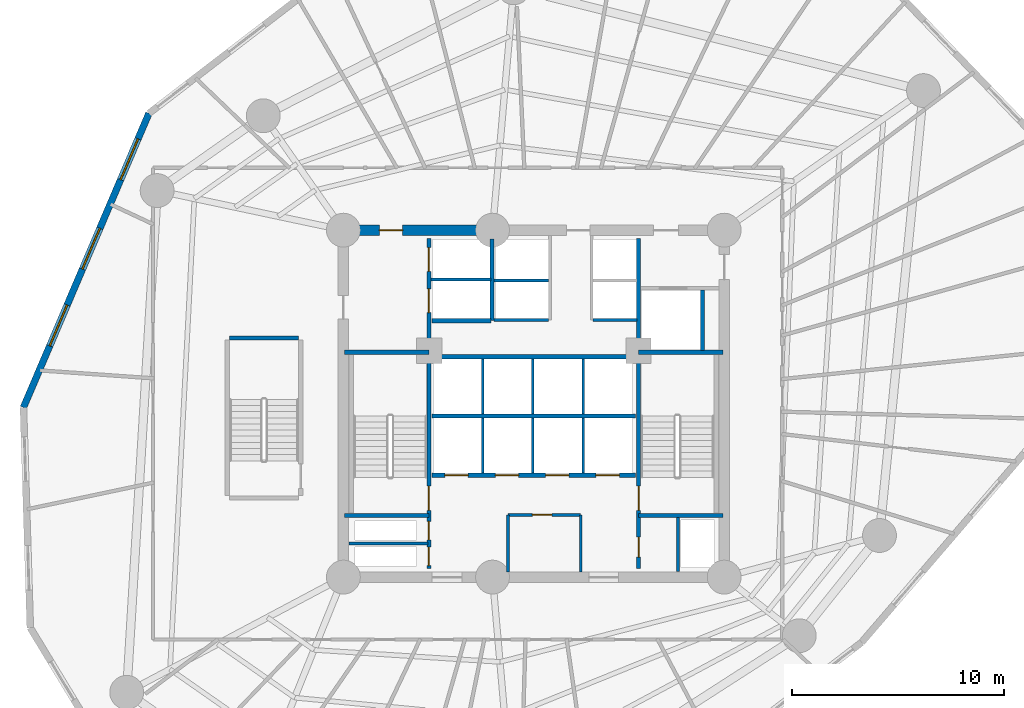
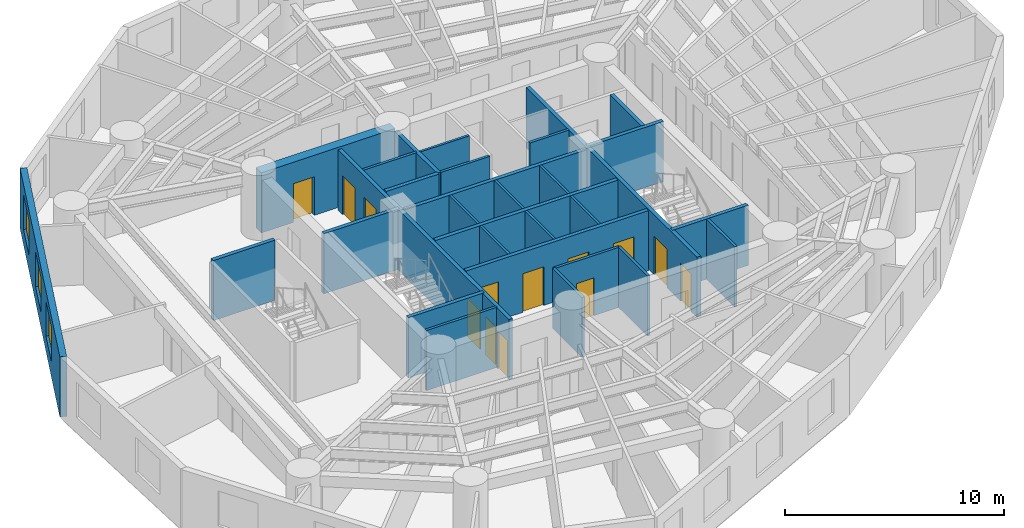
# One storey, part 4 of 8: 30 walls, 13 doors, 3 windows, 16 openings.
"""IFC4 building model written with IfcOpenShell, lengths in metres."""

from ifc_helpers import new_model, si_unit, direction, frame, frame_2d, origin, origin_with_axes, place, context, subcontext, project, spatial, rectangle, extrude, source, transform, mapped, material, layer, layer_set, type_object, element, fill, save


model = new_model("IFC4")

# Units and contexts
model_context = context("Model", 3, precision=1e-05, world=origin(), true_north=direction((0.0, 1.0)))
body_context = subcontext(model_context, "Body", "Model", "MODEL_VIEW")
ifc_project = project(units=[si_unit("LENGTHUNIT", "METRE"), si_unit("AREAUNIT", "SQUARE_METRE"), si_unit("VOLUMEUNIT", "CUBIC_METRE"), si_unit("PLANEANGLEUNIT", "RADIAN"), si_unit("MASSUNIT", "GRAM", prefix="KILO")], contexts=[model_context])

# Site, building, storey
site_placement = place(None, origin())
site = spatial("IfcSite", under=ifc_project, at=site_placement, CompositionType="ELEMENT")
building_placement = place(site_placement, origin())
building = spatial("IfcBuilding", under=site, at=building_placement, Name="Karkom Vertical University and Central Library", CompositionType="ELEMENT")
storey_placement = place(building_placement, frame((0.0, 0.0, 51.699951171875)))
storey = spatial("IfcBuildingStorey", under=building, at=storey_placement, Name="L13", CompositionType="ELEMENT", Elevation=51.699951171875)

# Wall, openings, windows
ifc_material_1 = material(Name="Brick-faced precast concrete C45/55", Category="masonry")
ifc_layer_1 = layer(ifc_material_1, 0.320068359375)
ifc_layer_set_1 = layer_set([ifc_layer_1], Name="Brick-faced precast concrete C45/55")
wall_type_1 = type_object("IfcWallType", Name="ENV-WL-BRK-320", PredefinedType="SOLIDWALL", material=ifc_layer_set_1)
wall_1_placement = place(storey_placement, frame((10.3076171875, 40.223876953125, 0.0), z_axis=(0.0, 0.0, 1.0), x_axis=(-0.3924026219, -0.919793554188, 0.0)))
wall_1 = element("IfcWall", 1, at=wall_1_placement, inside=storey, type_object=wall_type_1, Name="Level 13 Brick-Faced Precast Facade Wall 02", PredefinedType="SOLIDWALL", context=body_context, shape_type="SweptSolid", body=[
    extrude(rectangle(XDim=15.119873046875, YDim=0.320068359375, at=frame_2d((7.56005859375, 0.0))), origin(), (0.0, 0.0, 1.0), 3.35009765625),
])
opening_1_placement = place(wall_1_placement, frame((1.314208984375, 0.0, 0.85009765625)))
opening_1 = element("IfcOpeningElement", 2, at=opening_1_placement, cuts=wall_1, Name="Opening WN-03", PredefinedType="OPENING", context=body_context, shape_type="SweptSolid", body=[
    extrude(rectangle(XDim=2.10009765625, YDim=1.949951171875, at=frame_2d((1.050048828125, 0.97509765625))), frame((0.0, 0.169921875, 0.0), z_axis=(0.0, -1.0, 0.0), x_axis=(1.0, 0.0, 0.0)), (0.0, 0.0, 1.0), 0.340087890625),
])
opening_2_placement = place(wall_1_placement, frame((5.908447265625, 0.0, 0.85009765625)))
opening_2 = element("IfcOpeningElement", 3, at=opening_2_placement, cuts=wall_1, Name="Opening WN-03", PredefinedType="OPENING", context=body_context, shape_type="SweptSolid", body=[
    extrude(rectangle(XDim=2.10009765625, YDim=1.949951171875, at=frame_2d((1.050048828125, 0.97509765625))), frame((0.0, 0.169921875, 0.0), z_axis=(0.0, -1.0, 0.0), x_axis=(1.0, 0.0, 0.0)), (0.0, 0.0, 1.0), 0.340087890625),
])
opening_3_placement = place(wall_1_placement, frame((9.8486328125, 0.0, 0.85009765625)))
opening_3 = element("IfcOpeningElement", 4, at=opening_3_placement, cuts=wall_1, Name="Opening WN-03", PredefinedType="OPENING", context=body_context, shape_type="SweptSolid", body=[
    extrude(rectangle(XDim=2.10009765625, YDim=1.949951171875, at=frame_2d((1.050048828125, 0.97509765625))), frame((0.0, 0.169921875, 0.0), z_axis=(0.0, -1.0, 0.0), x_axis=(1.0, 0.0, 0.0)), (0.0, 0.0, 1.0), 0.340087890625),
])
ifc_material_2 = material(Name="Aluminium thermal-break frame with solar-control IGU", Category="aluminium")
window_type = type_object("IfcWindowType", Name="ENV-WIN-WN-03", PartitioningType="SINGLE_PANEL", PredefinedType="WINDOW", material=ifc_material_2)
shared_shape_1 = source(origin_with_axes(), body_context, "Body", "SweptSolid", [
    extrude(rectangle(XDim=2.10009765625, YDim=1.949951171875, at=frame_2d((1.050048828125, 0.97509765625))), frame((0.0, 0.030029296875, 0.0), z_axis=(0.0, -1.0, 0.0), x_axis=(1.0, 0.0, 0.0)), (0.0, 0.0, 1.0), 0.06005859375),
])
window_1_placement = place(opening_1_placement, origin())
window_1 = element("IfcWindow", 5, at=window_1_placement, inside=storey, type_object=window_type, Name="Level 13 Punched Window 2.1", OverallHeight=1.949951171875, OverallWidth=2.10009765625, PartitioningType="SINGLE_PANEL", PredefinedType="WINDOW", context=body_context, shape_type="MappedRepresentation", body=[
    mapped(shared_shape_1, transform((0.0, 0.0, 0.0), scale=1.0)),
])
fill(opening_1, window_1)
window_2_placement = place(opening_2_placement, origin())
window_2 = element("IfcWindow", 6, at=window_2_placement, inside=storey, type_object=window_type, Name="Level 13 Punched Window 2.2", OverallHeight=1.949951171875, OverallWidth=2.10009765625, PartitioningType="SINGLE_PANEL", PredefinedType="WINDOW", context=body_context, shape_type="MappedRepresentation", body=[
    mapped(shared_shape_1, transform((0.0, 0.0, 0.0), scale=1.0)),
])
fill(opening_2, window_2)
window_3_placement = place(opening_3_placement, origin())
window_3 = element("IfcWindow", 7, at=window_3_placement, inside=storey, type_object=window_type, Name="Level 13 Punched Window 2.3", OverallHeight=1.949951171875, OverallWidth=2.10009765625, PartitioningType="SINGLE_PANEL", PredefinedType="WINDOW", context=body_context, shape_type="MappedRepresentation", body=[
    mapped(shared_shape_1, transform((0.0, 0.0, 0.0), scale=1.0)),
])
fill(opening_3, window_3)

# Walls
ifc_material_3 = material(Name="Moisture-resistant drywall 120mm", Category="gypsum")
ifc_layer_2 = layer(ifc_material_3, 0.1201171875)
ifc_layer_set_2 = layer_set([ifc_layer_2], Name="Moisture-resistant drywall 120mm")
wall_type_2 = type_object("IfcWallType", Name="INT-WL-INT-120H", PredefinedType="PARTITIONING", material=ifc_layer_set_2)
for number, where, z_axis, x_axis, name in (
    (8, (26.080078125, 23.219970703125, 0.0), (0.0, 0.0, 1.0), (0.0, 1.0, 0.0), "Level 13 Interior Partition Wall L13-CW-PL-DIV1"),
    (9, (28.4599609375, 23.219970703125, 0.0), (0.0, 0.0, 1.0), (0.0, 1.0, 0.0), "Level 13 Interior Partition Wall L13-CW-PL-DIV2"),
    (10, (30.840087890625, 23.219970703125, 0.0), (0.0, 0.0, 1.0), (0.0, 1.0, 0.0), "Level 13 Interior Partition Wall L13-CW-PL-DIV3"),
    (11, (26.080078125, 26.02001953125, 0.0), (0.0, 0.0, 1.0), (0.0, 1.0, 0.0), "Level 13 Interior Partition Wall L13-CW-PM-DIV1"),
    (12, (28.4599609375, 26.02001953125, 0.0), (0.0, 0.0, 1.0), (0.0, 1.0, 0.0), "Level 13 Interior Partition Wall L13-CW-PM-DIV2"),
    (13, (30.840087890625, 26.02001953125, 0.0), (0.0, 0.0, 1.0), (0.0, 1.0, 0.0), "Level 13 Interior Partition Wall L13-CW-PM-DIV3"),
):
    element("IfcWall", number, at=place(storey_placement, frame(where, z_axis=z_axis, x_axis=x_axis)), inside=storey, type_object=wall_type_2, Name=name, PredefinedType="PARTITIONING", context=body_context, shape_type="SweptSolid", body=[
        extrude(rectangle(XDim=2.60009765625, YDim=0.1201171875, at=frame_2d((1.300048828125, 0.0))), origin(), (0.0, 0.0, 1.0), 3.35009765625),
    ])
wall_2_placement = place(storey_placement, frame((26.6201171875, 32.320068359375, 0.0), z_axis=(0.0, 0.0, 1.0), x_axis=(1.0, 0.0, 0.0)))
element("IfcWall", 14, at=wall_2_placement, inside=storey, type_object=wall_type_2, Name="Level 13 Interior Partition Wall L13-CW-PH-MW", PredefinedType="PARTITIONING", context=body_context, shape_type="SweptSolid", body=[
    extrude(rectangle(XDim=2.579833984375, YDim=0.1201171875, at=frame_2d((1.2900390625, 0.0))), origin(), (0.0, 0.0, 1.0), 3.35009765625),
])

# Wall, opening, door
ifc_material_4 = material(Name="Metal-stud gypsum partition 140mm", Category="gypsum")
ifc_layer_3 = layer(ifc_material_4, 0.139892578125)
ifc_layer_set_3 = layer_set([ifc_layer_3], Name="Metal-stud gypsum partition 140mm")
wall_type_3 = type_object("IfcWallType", Name="INT-WL-SUB-140", PredefinedType="PARTITIONING", material=ifc_layer_set_3)
wall_3_placement = place(storey_placement, frame((27.280029296875, 21.239990234375, 0.0), z_axis=(0.0, 0.0, 1.0), x_axis=(1.0, 0.0, 0.0)))
wall_3 = element("IfcWall", 15, at=wall_3_placement, inside=storey, type_object=wall_type_3, Name="Level 13 Interior Partition Wall L13-CW-KBAY-N", PredefinedType="PARTITIONING", context=body_context, shape_type="SweptSolid", body=[
    extrude(rectangle(XDim=3.43994140625, YDim=0.139892578125, at=frame_2d((1.719970703125, 0.0))), origin(), (0.0, 0.0, 1.0), 3.35009765625),
])
opening_4_placement = place(wall_3_placement, frame((1.14990234375, 0.0, 0.0)))
opening_4 = element("IfcOpeningElement", 16, at=opening_4_placement, cuts=wall_3, Name="Opening D-SVC1", PredefinedType="OPENING", context=body_context, shape_type="SweptSolid", body=[
    extrude(rectangle(XDim=0.919921875, YDim=2.10009765625, at=frame_2d((0.4599609375, 1.050048828125))), frame((0.0, 0.080078125, 0.0), z_axis=(0.0, -1.0, 0.0), x_axis=(1.0, 0.0, 0.0)), (0.0, 0.0, 1.0), 0.159912109375),
])
ifc_material_5 = material(Name="Painted timber service door", Category="wood")
door_type_1 = type_object("IfcDoorType", Name="INT-DR-SVC1", OperationType="NOTDEFINED", PredefinedType="DOOR", material=ifc_material_5)
shared_shape_2 = source(origin_with_axes(), body_context, "Body", "SweptSolid", [
    extrude(rectangle(XDim=0.919921875, YDim=2.10009765625, at=frame_2d((0.4599609375, 1.050048828125))), frame((0.0, 0.02490234375, 0.0), z_axis=(0.0, -1.0, 0.0), x_axis=(1.0, 0.0, 0.0)), (0.0, 0.0, 1.0), 0.050048828125),
])
door_1_placement = place(opening_4_placement, origin())
door_1 = element("IfcDoor", 17, at=door_1_placement, inside=storey, type_object=door_type_1, Name="Level 13 Comms Room Door", OperationType="SINGLE_SWING_RIGHT", OverallHeight=2.10009765625, OverallWidth=0.919921875, PredefinedType="DOOR", context=body_context, shape_type="MappedRepresentation", body=[
    mapped(shared_shape_2, transform((0.0, 0.0, 0.0), scale=1.0)),
])
fill(opening_4, door_1)

# Walls
for number, where, z_axis, x_axis, name in (
    (18, (27.280029296875, 18.550048828125, 0.0), (0.0, 0.0, 1.0), (0.0, 1.0, 0.0), "Level 13 Interior Partition Wall L13-CW-KBAY-W"),
    (19, (30.719970703125, 18.550048828125, 0.0), (0.0, 0.0, 1.0), (0.0, 1.0, 0.0), "Level 13 Interior Partition Wall L13-CW-KBAY-E"),
):
    element("IfcWall", number, at=place(storey_placement, frame(where, z_axis=z_axis, x_axis=x_axis)), inside=storey, type_object=wall_type_3, Name=name, PredefinedType="PARTITIONING", context=body_context, shape_type="SweptSolid", body=[
        extrude(rectangle(XDim=2.68994140625, YDim=0.139892578125, at=frame_2d((1.344970703125, 0.0))), origin(), (0.0, 0.0, 1.0), 3.35009765625),
    ])
ifc_layer_4 = layer(ifc_material_4, 0.139892578125)
ifc_layer_set_4 = layer_set([ifc_layer_4], Name="Metal-stud gypsum partition 140mm")
wall_type_4 = type_object("IfcWallType", Name="INT-WL-SUB-140H", PredefinedType="PARTITIONING", material=ifc_layer_set_4)
wall_4_placement = place(storey_placement, frame((19.757080078125, 19.889892578125, 0.0), z_axis=(0.0, 0.0, 1.0), x_axis=(1.0, 0.0, 0.0)))
element("IfcWall", 20, at=wall_4_placement, inside=storey, type_object=wall_type_4, Name="Level 13 Interior Partition Wall L13-CW-RIS-W", PredefinedType="PARTITIONING", context=body_context, shape_type="SweptSolid", body=[
    extrude(rectangle(XDim=3.7392578125, YDim=0.139892578125, at=frame_2d((1.86962890625, 0.0))), origin(), (0.0, 0.0, 1.0), 3.35009765625),
])
wall_5_placement = place(storey_placement, frame((26.6201171875, 30.449951171875, 0.0), z_axis=(0.0, 0.0, 1.0), x_axis=(1.0, 0.0, 0.0)))
element("IfcWall", 21, at=wall_5_placement, inside=storey, type_object=wall_type_4, Name="Level 13 Interior Partition Wall L13-CW-PH-S1", PredefinedType="PARTITIONING", context=body_context, shape_type="SweptSolid", body=[
    extrude(rectangle(XDim=2.579833984375, YDim=0.139892578125, at=frame_2d((1.2900390625, 0.0))), origin(), (0.0, 0.0, 1.0), 3.35009765625),
])
wall_6_placement = place(storey_placement, frame((35.320068359375, 18.556884765625, 0.0), z_axis=(0.0, 0.0, 1.0), x_axis=(0.0, 1.0, 0.0)))
element("IfcWall", 22, at=wall_6_placement, inside=storey, type_object=wall_type_4, Name="Level 13 Interior Partition Wall L13-CW-RIS-E", PredefinedType="PARTITIONING", context=body_context, shape_type="SweptSolid", body=[
    extrude(rectangle(XDim=2.553466796875, YDim=0.139892578125, at=frame_2d((1.27685546875, 0.0))), origin(), (0.0, 0.0, 1.0), 3.35009765625),
])
wall_7_placement = place(storey_placement, frame((31.300048828125, 30.449951171875, 0.0), z_axis=(0.0, 0.0, 1.0), x_axis=(1.0, 0.0, 0.0)))
element("IfcWall", 23, at=wall_7_placement, inside=storey, type_object=wall_type_4, Name="Level 13 Interior Partition Wall L13-CW-PH-S2", PredefinedType="PARTITIONING", context=body_context, shape_type="SweptSolid", body=[
    extrude(rectangle(XDim=2.074951171875, YDim=0.139892578125, at=frame_2d((1.03759765625, 0.0))), origin(), (0.0, 0.0, 1.0), 3.35009765625),
])
ifc_layer_5 = layer(ifc_material_4, 0.139892578125)
ifc_layer_set_5 = layer_set([ifc_layer_5], Name="Metal-stud gypsum partition 140mm")
wall_type_5 = type_object("IfcWallType", Name="INT-WL-SUB-140X", PredefinedType="PARTITIONING", material=ifc_layer_set_5)
wall_8_placement = place(storey_placement, frame((23.652099609375, 32.3701171875, 0.0), z_axis=(0.0, 0.0, 1.0), x_axis=(1.0, 0.0, 0.0)))
element("IfcWall", 24, at=wall_8_placement, inside=storey, type_object=wall_type_5, Name="Level 13 Interior Partition Wall L13-CW-FFL-M", PredefinedType="PARTITIONING", context=body_context, shape_type="SweptSolid", body=[
    extrude(rectangle(XDim=2.827880859375, YDim=0.139892578125, at=frame_2d((1.4140625, 0.0))), origin(), (0.0, 0.0, 1.0), 3.35009765625),
])

# Wall, opening, door
ifc_material_6 = material(Name="Concrete C50/60", Category="concrete")
ifc_layer_6 = layer(ifc_material_6, 0.5)
ifc_layer_set_6 = layer_set([ifc_layer_6], Name="Concrete C50/60")
wall_type_6 = type_object("IfcWallType", Name="STR-WL-CW-500", PredefinedType="SHEAR", material=ifc_layer_set_6)
wall_9_placement = place(storey_placement, frame((26.550048828125, 34.699951171875, 0.0), z_axis=(0.0, 0.0, 1.0), x_axis=(-1.0, 0.0, 0.0)))
wall_9 = element("IfcWall", 25, at=wall_9_placement, inside=storey, type_object=wall_type_6, Name="Level 13 Central Core Shear Wall NW2", PredefinedType="SHEAR", context=body_context, shape_type="SweptSolid", body=[
    extrude(rectangle(XDim=7.050048828125, YDim=0.5, at=frame_2d((3.52490234375, 0.0))), origin(), (0.0, 0.0, 1.0), 3.35009765625),
])
opening_5_placement = place(wall_9_placement, frame((4.25, 0.0, 0.0)))
opening_5 = element("IfcOpeningElement", 26, at=opening_5_placement, cuts=wall_9, Name="Opening FD-FFL", PredefinedType="OPENING", context=body_context, shape_type="SweptSolid", body=[
    extrude(rectangle(XDim=1.10009765625, YDim=2.14990234375, at=frame_2d((0.550048828125, 1.074951171875))), frame((0.0, 0.260009765625, 0.0), z_axis=(0.0, -1.0, 0.0), x_axis=(1.0, 0.0, 0.0)), (0.0, 0.0, 1.0), 0.52001953125),
])
ifc_material_7 = material(Name="Painted steel smoke-seal fire door", Category="steel")
door_type_2 = type_object("IfcDoorType", Name="INT-DR-FFL", OperationType="NOTDEFINED", PredefinedType="DOOR", material=ifc_material_7)
shared_shape_3 = source(origin_with_axes(), body_context, "Body", "SweptSolid", [
    extrude(rectangle(XDim=1.10009765625, YDim=2.14990234375, at=frame_2d((0.550048828125, 1.074951171875))), frame((0.0, 0.02490234375, 0.0), z_axis=(0.0, -1.0, 0.0), x_axis=(1.0, 0.0, 0.0)), (0.0, 0.0, 1.0), 0.050048828125),
])
door_2_placement = place(opening_5_placement, origin())
door_2 = element("IfcDoor", 27, at=door_2_placement, inside=storey, type_object=door_type_2, Name="Level 13 Firefighting Lobby Door", OperationType="SINGLE_SWING_LEFT", OverallHeight=2.14990234375, OverallWidth=1.10009765625, PredefinedType="DOOR", context=body_context, shape_type="MappedRepresentation", body=[
    mapped(shared_shape_3, transform((0.0, 0.0, 0.0), scale=1.0)),
])
fill(opening_5, door_2)

# Wall, openings, doors
ifc_material_8 = material(Name="Concrete C45/55", Category="concrete")
ifc_layer_7 = layer(ifc_material_8, 0.199951171875)
ifc_layer_set_7 = layer_set([ifc_layer_7], Name="Concrete C45/55")
wall_type_7 = type_object("IfcWallType", Name="STR-WL-ST-200", PredefinedType="SHEAR", material=ifc_layer_set_7)
wall_10_placement = place(storey_placement, frame((23.544921875, 18.699951171875, 0.0), z_axis=(0.0, 0.0, 1.0), x_axis=(0.0, 1.0, 0.0)))
wall_10 = element("IfcWall", 28, at=wall_10_placement, inside=storey, type_object=wall_type_7, Name="Level 13 Core Shaft Wall L13-CW-ST1-E", PredefinedType="SHEAR", context=body_context, shape_type="SweptSolid", body=[
    extrude(rectangle(XDim=15.60009765625, YDim=0.199951171875, at=frame_2d((7.800048828125, 0.0))), origin(), (0.0, 0.0, 1.0), 3.35009765625),
])
opening_6_placement = place(wall_10_placement, frame((2.75, 0.0, 0.0)))
opening_6 = element("IfcOpeningElement", 29, at=opening_6_placement, cuts=wall_10, Name="Opening FD-ST1", PredefinedType="OPENING", context=body_context, shape_type="SweptSolid", body=[
    extrude(rectangle(XDim=1.14990234375, YDim=2.14990234375, at=frame_2d((0.574951171875, 1.074951171875))), frame((0.0, 0.10986328125, 0.0), z_axis=(0.0, -1.0, 0.0), x_axis=(1.0, 0.0, 0.0)), (0.0, 0.0, 1.0), 0.219970703125),
])
opening_7_placement = place(wall_10_placement, frame((0.139892578125, 0.0, 0.0)))
opening_7 = element("IfcOpeningElement", 30, at=opening_7_placement, cuts=wall_10, Name="Opening FD-RIS", PredefinedType="OPENING", context=body_context, shape_type="SweptSolid", body=[
    extrude(rectangle(XDim=0.8798828125, YDim=2.10009765625, at=frame_2d((0.43994140625, 1.050048828125))), frame((0.0, 0.10986328125, 0.0), z_axis=(0.0, -1.0, 0.0), x_axis=(1.0, 0.0, 0.0)), (0.0, 0.0, 1.0), 0.219970703125),
])
opening_8_placement = place(wall_10_placement, frame((1.360107421875, 0.0, 0.0)))
opening_8 = element("IfcOpeningElement", 31, at=opening_8_placement, cuts=wall_10, Name="Opening FD-RIS", PredefinedType="OPENING", context=body_context, shape_type="SweptSolid", body=[
    extrude(rectangle(XDim=0.8798828125, YDim=2.10009765625, at=frame_2d((0.43994140625, 1.050048828125))), frame((0.0, 0.10986328125, 0.0), z_axis=(0.0, -1.0, 0.0), x_axis=(1.0, 0.0, 0.0)), (0.0, 0.0, 1.0), 0.219970703125),
])
opening_9_placement = place(wall_10_placement, frame((12.10009765625, 0.0, 0.0)))
opening_9 = element("IfcOpeningElement", 32, at=opening_9_placement, cuts=wall_10, Name="Opening LD-FFL", PredefinedType="OPENING", context=body_context, shape_type="SweptSolid", body=[
    extrude(rectangle(XDim=1.1201171875, YDim=2.14990234375, at=frame_2d((0.56005859375, 1.074951171875))), frame((0.0, 0.10986328125, 0.0), z_axis=(0.0, -1.0, 0.0), x_axis=(1.0, 0.0, 0.0)), (0.0, 0.0, 1.0), 0.219970703125),
])
opening_10_placement = place(wall_10_placement, frame((14.050048828125, 0.0, 0.0)))
opening_10 = element("IfcOpeningElement", 33, at=opening_10_placement, cuts=wall_10, Name="Opening LD-FFL", PredefinedType="OPENING", context=body_context, shape_type="SweptSolid", body=[
    extrude(rectangle(XDim=1.1201171875, YDim=2.14990234375, at=frame_2d((0.56005859375, 1.074951171875))), frame((0.0, 0.10986328125, 0.0), z_axis=(0.0, -1.0, 0.0), x_axis=(1.0, 0.0, 0.0)), (0.0, 0.0, 1.0), 0.219970703125),
])
ifc_material_9 = material(Name="Painted steel acoustic fire door", Category="steel")
door_type_3 = type_object("IfcDoorType", Name="INT-DR-ST1", OperationType="NOTDEFINED", PredefinedType="DOOR", material=ifc_material_9)
shared_shape_4 = source(origin_with_axes(), body_context, "Body", "SweptSolid", [
    extrude(rectangle(XDim=1.14990234375, YDim=2.14990234375, at=frame_2d((0.574951171875, 1.074951171875))), frame((0.0, 0.02490234375, 0.0), z_axis=(0.0, -1.0, 0.0), x_axis=(1.0, 0.0, 0.0)), (0.0, 0.0, 1.0), 0.050048828125),
])
door_3_placement = place(opening_6_placement, origin())
door_3 = element("IfcDoor", 34, at=door_3_placement, inside=storey, type_object=door_type_3, Name="Level 13 Stair ST-1 Fire Door", OperationType="SINGLE_SWING_LEFT", OverallHeight=2.14990234375, OverallWidth=1.14990234375, PredefinedType="DOOR", context=body_context, shape_type="MappedRepresentation", body=[
    mapped(shared_shape_4, transform((0.0, 0.0, 0.0), scale=1.0)),
])
fill(opening_6, door_3)
ifc_material_10 = material(Name="Painted steel riser access door", Category="steel")
door_type_4 = type_object("IfcDoorType", Name="INT-DR-RIS", OperationType="NOTDEFINED", PredefinedType="DOOR", material=ifc_material_10)
shared_shape_5 = source(origin_with_axes(), body_context, "Body", "SweptSolid", [
    extrude(rectangle(XDim=0.8798828125, YDim=2.10009765625, at=frame_2d((0.43994140625, 1.050048828125))), frame((0.0, 0.02490234375, 0.0), z_axis=(0.0, -1.0, 0.0), x_axis=(1.0, 0.0, 0.0)), (0.0, 0.0, 1.0), 0.050048828125),
])
door_4_placement = place(opening_7_placement, origin())
door_4 = element("IfcDoor", 35, at=door_4_placement, inside=storey, type_object=door_type_4, Name="Level 13 Electrical Riser Access Door", OperationType="SINGLE_SWING_LEFT", OverallHeight=2.10009765625, OverallWidth=0.8798828125, PredefinedType="DOOR", context=body_context, shape_type="MappedRepresentation", body=[
    mapped(shared_shape_5, transform((0.0, 0.0, 0.0), scale=1.0)),
])
fill(opening_7, door_4)
door_5_placement = place(opening_8_placement, origin())
door_5 = element("IfcDoor", 36, at=door_5_placement, inside=storey, type_object=door_type_4, Name="Level 13 Telecom Riser Access Door", OperationType="SINGLE_SWING_RIGHT", OverallHeight=2.10009765625, OverallWidth=0.8798828125, PredefinedType="DOOR", context=body_context, shape_type="MappedRepresentation", body=[
    mapped(shared_shape_5, transform((0.0, 0.0, 0.0), scale=1.0)),
])
fill(opening_8, door_5)
ifc_material_11 = material(Name="Fire-rated stainless-steel landing door", Category="steel")
door_type_5 = type_object("IfcDoorType", Name="INT-DR-LD-FFL", OperationType="SLIDING_TO_LEFT", PredefinedType="DOOR", material=ifc_material_11)
shared_shape_6 = source(origin_with_axes(), body_context, "Body", "SweptSolid", [
    extrude(rectangle(XDim=1.1201171875, YDim=2.14990234375, at=frame_2d((0.56005859375, 1.074951171875))), frame((0.0, 0.02490234375, 0.0), z_axis=(0.0, -1.0, 0.0), x_axis=(1.0, 0.0, 0.0)), (0.0, 0.0, 1.0), 0.050048828125),
])
door_6_placement = place(opening_9_placement, origin())
door_6 = element("IfcDoor", 37, at=door_6_placement, inside=storey, type_object=door_type_5, Name="Level 13 Firefighting Lift FFL-1 Landing Door", OperationType="SLIDING_TO_LEFT", OverallHeight=2.14990234375, OverallWidth=1.1201171875, PredefinedType="DOOR", context=body_context, shape_type="MappedRepresentation", body=[
    mapped(shared_shape_6, transform((0.0, 0.0, 0.0), scale=1.0)),
])
fill(opening_9, door_6)
door_7_placement = place(opening_10_placement, origin())
door_7 = element("IfcDoor", 38, at=door_7_placement, inside=storey, type_object=door_type_5, Name="Level 13 Firefighting Lift FFL-2 Landing Door", OperationType="SLIDING_TO_RIGHT", OverallHeight=2.14990234375, OverallWidth=1.1201171875, PredefinedType="DOOR", context=body_context, shape_type="MappedRepresentation", body=[
    mapped(shared_shape_6, transform((0.0, 0.0, 0.0), scale=1.0)),
])
fill(opening_10, door_7)

wall_11_placement = place(storey_placement, frame((33.455078125, 18.699951171875, 0.0), z_axis=(0.0, 0.0, 1.0), x_axis=(0.0, 1.0, 0.0)))
wall_11 = element("IfcWall", 39, at=wall_11_placement, inside=storey, type_object=wall_type_7, Name="Level 13 Core Shaft Wall L13-CW-ST2-W", PredefinedType="SHEAR", context=body_context, shape_type="SweptSolid", body=[
    extrude(rectangle(XDim=15.60009765625, YDim=0.199951171875, at=frame_2d((7.800048828125, 0.0))), origin(), (0.0, 0.0, 1.0), 3.35009765625),
])
opening_11_placement = place(wall_11_placement, frame((2.75, 0.0, 0.0)))
opening_11 = element("IfcOpeningElement", 40, at=opening_11_placement, cuts=wall_11, Name="Opening FD-ST1", PredefinedType="OPENING", context=body_context, shape_type="SweptSolid", body=[
    extrude(rectangle(XDim=1.14990234375, YDim=2.14990234375, at=frame_2d((0.574951171875, 1.074951171875))), frame((0.0, 0.10986328125, 0.0), z_axis=(0.0, -1.0, 0.0), x_axis=(1.0, 0.0, 0.0)), (0.0, 0.0, 1.0), 0.219970703125),
])
opening_12_placement = place(wall_11_placement, frame((0.550048828125, 0.0, 0.0)))
opening_12 = element("IfcOpeningElement", 41, at=opening_12_placement, cuts=wall_11, Name="Opening D-WC1", PredefinedType="OPENING", context=body_context, shape_type="SweptSolid", body=[
    extrude(rectangle(XDim=0.93994140625, YDim=2.10009765625, at=frame_2d((0.469970703125, 1.050048828125))), frame((0.0, 0.10986328125, 0.0), z_axis=(0.0, -1.0, 0.0), x_axis=(1.0, 0.0, 0.0)), (0.0, 0.0, 1.0), 0.219970703125),
])
door_8_placement = place(opening_11_placement, origin())
door_8 = element("IfcDoor", 42, at=door_8_placement, inside=storey, type_object=door_type_3, Name="Level 13 Stair ST-2 Fire Door", OperationType="SINGLE_SWING_RIGHT", OverallHeight=2.14990234375, OverallWidth=1.14990234375, PredefinedType="DOOR", context=body_context, shape_type="MappedRepresentation", body=[
    mapped(shared_shape_4, transform((0.0, 0.0, 0.0), scale=1.0)),
])
fill(opening_11, door_8)
ifc_material_12 = material(Name="Fire-rated laminate moisture-resistant door", Category="wood")
door_type_6 = type_object("IfcDoorType", Name="INT-DR-WC1", OperationType="NOTDEFINED", PredefinedType="DOOR", material=ifc_material_12)
shared_shape_7 = source(origin_with_axes(), body_context, "Body", "SweptSolid", [
    extrude(rectangle(XDim=0.93994140625, YDim=2.10009765625, at=frame_2d((0.469970703125, 1.050048828125))), frame((0.0, 0.02490234375, 0.0), z_axis=(0.0, -1.0, 0.0), x_axis=(1.0, 0.0, 0.0)), (0.0, 0.0, 1.0), 0.050048828125),
])
door_9_placement = place(opening_12_placement, origin())
door_9 = element("IfcDoor", 43, at=door_9_placement, inside=storey, type_object=door_type_6, Name="Level 13 Accessible WC Door", OperationType="SINGLE_SWING_LEFT", OverallHeight=2.10009765625, OverallWidth=0.93994140625, PredefinedType="DOOR", context=body_context, shape_type="MappedRepresentation", body=[
    mapped(shared_shape_7, transform((0.0, 0.0, 0.0), scale=1.0)),
])
fill(opening_12, door_9)

wall_12_placement = place(storey_placement, frame((23.699951171875, 23.1201171875, 0.0), z_axis=(0.0, 0.0, 1.0), x_axis=(1.0, 0.0, 0.0)))
wall_12 = element("IfcWall", 44, at=wall_12_placement, inside=storey, type_object=wall_type_7, Name="Level 13 Core Shaft Wall L13-CW-B1-S", PredefinedType="SHEAR", context=body_context, shape_type="SweptSolid", body=[
    extrude(rectangle(XDim=9.60009765625, YDim=0.199951171875, at=frame_2d((4.800048828125, 0.0))), origin(), (0.0, 0.0, 1.0), 3.35009765625),
])
opening_13_placement = place(wall_12_placement, frame((0.60009765625, 0.0, 0.0)))
opening_13 = element("IfcOpeningElement", 45, at=opening_13_placement, cuts=wall_12, Name="Opening LD-PAX", PredefinedType="OPENING", context=body_context, shape_type="SweptSolid", body=[
    extrude(rectangle(XDim=1.10009765625, YDim=2.14990234375, at=frame_2d((0.550048828125, 1.074951171875))), frame((0.0, 0.10986328125, 0.0), z_axis=(0.0, -1.0, 0.0), x_axis=(1.0, 0.0, 0.0)), (0.0, 0.0, 1.0), 0.219970703125),
])
opening_14_placement = place(wall_12_placement, frame((2.97998046875, 0.0, 0.0)))
opening_14 = element("IfcOpeningElement", 46, at=opening_14_placement, cuts=wall_12, Name="Opening LD-PAX", PredefinedType="OPENING", context=body_context, shape_type="SweptSolid", body=[
    extrude(rectangle(XDim=1.10009765625, YDim=2.14990234375, at=frame_2d((0.550048828125, 1.074951171875))), frame((0.0, 0.10986328125, 0.0), z_axis=(0.0, -1.0, 0.0), x_axis=(1.0, 0.0, 0.0)), (0.0, 0.0, 1.0), 0.219970703125),
])
opening_15_placement = place(wall_12_placement, frame((5.360107421875, 0.0, 0.0)))
opening_15 = element("IfcOpeningElement", 47, at=opening_15_placement, cuts=wall_12, Name="Opening LD-PAX", PredefinedType="OPENING", context=body_context, shape_type="SweptSolid", body=[
    extrude(rectangle(XDim=1.10009765625, YDim=2.14990234375, at=frame_2d((0.550048828125, 1.074951171875))), frame((0.0, 0.10986328125, 0.0), z_axis=(0.0, -1.0, 0.0), x_axis=(1.0, 0.0, 0.0)), (0.0, 0.0, 1.0), 0.219970703125),
])
opening_16_placement = place(wall_12_placement, frame((7.739990234375, 0.0, 0.0)))
opening_16 = element("IfcOpeningElement", 48, at=opening_16_placement, cuts=wall_12, Name="Opening LD-PAX", PredefinedType="OPENING", context=body_context, shape_type="SweptSolid", body=[
    extrude(rectangle(XDim=1.10009765625, YDim=2.14990234375, at=frame_2d((0.550048828125, 1.074951171875))), frame((0.0, 0.10986328125, 0.0), z_axis=(0.0, -1.0, 0.0), x_axis=(1.0, 0.0, 0.0)), (0.0, 0.0, 1.0), 0.219970703125),
])
ifc_material_13 = material(Name="Brushed stainless-steel landing door", Category="steel")
door_type_7 = type_object("IfcDoorType", Name="INT-DR-LD-PAX", OperationType="SLIDING_TO_LEFT", PredefinedType="DOOR", material=ifc_material_13)
door_10_placement = place(opening_13_placement, origin())
door_10 = element("IfcDoor", 49, at=door_10_placement, inside=storey, type_object=door_type_7, Name="Level 13 Lift PL-1 Landing Door", OperationType="SLIDING_TO_LEFT", OverallHeight=2.14990234375, OverallWidth=1.10009765625, PredefinedType="DOOR", context=body_context, shape_type="MappedRepresentation", body=[
    mapped(shared_shape_3, transform((0.0, 0.0, 0.0), scale=1.0)),
])
fill(opening_13, door_10)
door_11_placement = place(opening_14_placement, origin())
door_11 = element("IfcDoor", 50, at=door_11_placement, inside=storey, type_object=door_type_7, Name="Level 13 Lift PL-2 Landing Door", OperationType="SLIDING_TO_RIGHT", OverallHeight=2.14990234375, OverallWidth=1.10009765625, PredefinedType="DOOR", context=body_context, shape_type="MappedRepresentation", body=[
    mapped(shared_shape_3, transform((0.0, 0.0, 0.0), scale=1.0)),
])
fill(opening_14, door_11)
door_12_placement = place(opening_15_placement, origin())
door_12 = element("IfcDoor", 51, at=door_12_placement, inside=storey, type_object=door_type_7, Name="Level 13 Lift PL-3 Landing Door", OperationType="SLIDING_TO_LEFT", OverallHeight=2.14990234375, OverallWidth=1.10009765625, PredefinedType="DOOR", context=body_context, shape_type="MappedRepresentation", body=[
    mapped(shared_shape_3, transform((0.0, 0.0, 0.0), scale=1.0)),
])
fill(opening_15, door_12)
door_13_placement = place(opening_16_placement, origin())
door_13 = element("IfcDoor", 52, at=door_13_placement, inside=storey, type_object=door_type_7, Name="Level 13 Lift PL-4 Landing Door", OperationType="SLIDING_TO_RIGHT", OverallHeight=2.14990234375, OverallWidth=1.10009765625, PredefinedType="DOOR", context=body_context, shape_type="MappedRepresentation", body=[
    mapped(shared_shape_3, transform((0.0, 0.0, 0.0), scale=1.0)),
])
fill(opening_16, door_13)

# Walls
for number, where, z_axis, x_axis, name in (
    (53, (23.699951171875, 25.919921875, 0.0), (0.0, 0.0, 1.0), (1.0, 0.0, 0.0), "Level 13 Core Shaft Wall L13-CW-B1-N"),
    (54, (23.699951171875, 28.719970703125, 0.0), (0.0, 0.0, 1.0), (1.0, 0.0, 0.0), "Level 13 Core Shaft Wall L13-CW-B2-N"),
):
    element("IfcWall", number, at=place(storey_placement, frame(where, z_axis=z_axis, x_axis=x_axis)), inside=storey, type_object=wall_type_7, Name=name, PredefinedType="SHEAR", context=body_context, shape_type="SweptSolid", body=[
        extrude(rectangle(XDim=9.60009765625, YDim=0.199951171875, at=frame_2d((4.800048828125, 0.0))), origin(), (0.0, 0.0, 1.0), 3.35009765625),
    ])
for number, where, z_axis, x_axis, name in (
    (55, (33.455078125, 21.215087890625, 0.0), (0.0, 0.0, 1.0), (1.0, 0.0, 0.0), "Level 13 Core Shaft Wall L13-CW-ST2-S"),
    (56, (33.455078125, 28.925048828125, 0.0), (0.0, 0.0, 1.0), (1.0, 0.0, 0.0), "Level 13 Core Shaft Wall L13-CW-ST2-N"),
    (57, (19.550048828125, 21.215087890625, 0.0), (0.0, 0.0, 1.0), (1.0, 0.0, 0.0), "Level 13 Core Shaft Wall L13-CW-ST1-S"),
    (58, (19.550048828125, 28.925048828125, 0.0), (0.0, 0.0, 1.0), (1.0, 0.0, 0.0), "Level 13 Core Shaft Wall L13-CW-ST1-N"),
):
    element("IfcWall", number, at=place(storey_placement, frame(where, z_axis=z_axis, x_axis=x_axis)), inside=storey, type_object=wall_type_7, Name=name, PredefinedType="SHEAR", context=body_context, shape_type="SweptSolid", body=[
        extrude(rectangle(XDim=3.994873046875, YDim=0.199951171875, at=frame_2d((1.99755859375, 0.0))), origin(), (0.0, 0.0, 1.0), 3.35009765625),
    ])
wall_13_placement = place(storey_placement, frame((26.52001953125, 30.419921875, 0.0), z_axis=(0.0, 0.0, 1.0), x_axis=(0.0, 1.0, 0.0)))
element("IfcWall", 59, at=wall_13_placement, inside=storey, type_object=wall_type_7, Name="Level 13 Core Shaft Wall L13-CW-FFL-E", PredefinedType="SHEAR", context=body_context, shape_type="SweptSolid", body=[
    extrude(rectangle(XDim=3.860107421875, YDim=0.199951171875, at=frame_2d((1.93017578125, 0.0))), origin(), (0.0, 0.0, 1.0), 3.35009765625),
])
wall_14_placement = place(storey_placement, frame((14.1201171875, 29.60498046875, 0.0), z_axis=(0.0, 0.0, 1.0), x_axis=(1.0, 0.0, 0.0)))
element("IfcWall", 60, at=wall_14_placement, inside=storey, type_object=wall_type_7, Name="Level 13 Core Shaft Wall L13-W-ST3-N", PredefinedType="SHEAR", context=body_context, shape_type="SweptSolid", body=[
    extrude(rectangle(XDim=3.259765625, YDim=0.199951171875, at=frame_2d((1.6298828125, 0.0))), origin(), (0.0, 0.0, 1.0), 3.35009765625),
])
wall_15_placement = place(storey_placement, frame((36.47998046875, 29.02001953125, 0.0), z_axis=(0.0, 0.0, 1.0), x_axis=(0.0, 1.0, 0.0)))
element("IfcWall", 61, at=wall_15_placement, inside=storey, type_object=wall_type_7, Name="Level 13 Core Shaft Wall L13-CW-SVL-E", PredefinedType="SHEAR", context=body_context, shape_type="SweptSolid", body=[
    extrude(rectangle(XDim=2.85986328125, YDim=0.199951171875, at=frame_2d((1.429931640625, 0.0))), origin(), (0.0, 0.0, 1.0), 3.35009765625),
])
wall_16_placement = place(storey_placement, frame((23.699951171875, 30.419921875, 0.0), z_axis=(0.0, 0.0, 1.0), x_axis=(1.0, 0.0, 0.0)))
element("IfcWall", 62, at=wall_16_placement, inside=storey, type_object=wall_type_7, Name="Level 13 Core Shaft Wall L13-CW-FFL-S", PredefinedType="SHEAR", context=body_context, shape_type="SweptSolid", body=[
    extrude(rectangle(XDim=2.780029296875, YDim=0.199951171875, at=frame_2d((1.39013671875, 0.0))), origin(), (0.0, 0.0, 1.0), 3.35009765625),
])

save(model, "model.ifc")
